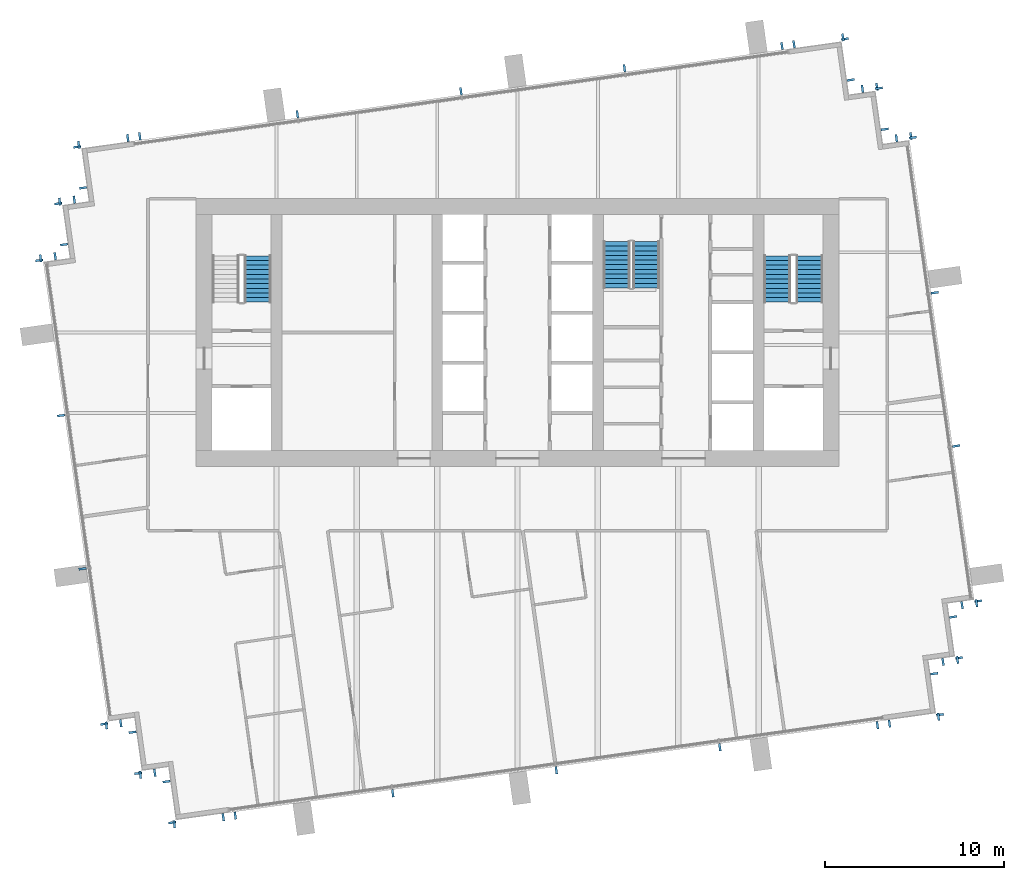
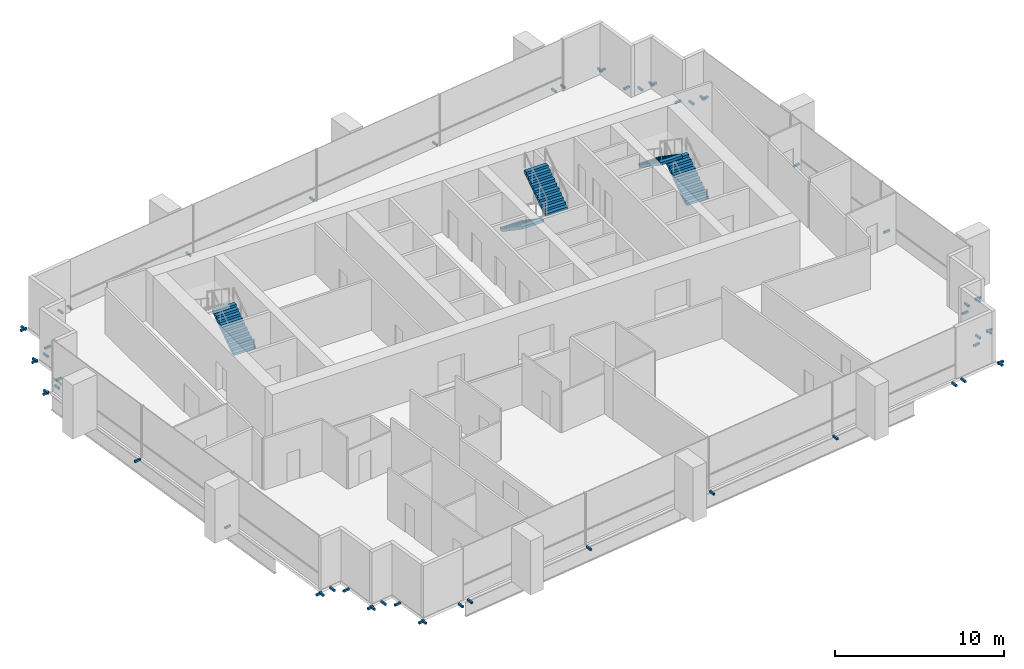
# One storey, part 11 of 12: 58 discrete accessories, 5 stair flights, 3 elements without a shape of their own.
"""IFC4 building model written with IfcOpenShell, lengths in metres."""

from ifc_helpers import new_model, si_unit, direction, frame, origin, origin_2d, place, context, subcontext, project, spatial, polyline, rectangle, outline, extrude, material, type_object, element, aggregate, save


model = new_model("IFC4")

# Units and contexts
model_context = context("Model", 3, precision=1e-05, world=origin(), true_north=direction((0.0, 1.0)))
body_context = subcontext(model_context, "Body", "Model", "MODEL_VIEW")
ifc_project = project(units=[si_unit("LENGTHUNIT", "METRE"), si_unit("AREAUNIT", "SQUARE_METRE"), si_unit("VOLUMEUNIT", "CUBIC_METRE"), si_unit("PLANEANGLEUNIT", "RADIAN"), si_unit("MASSUNIT", "GRAM", prefix="KILO")], contexts=[model_context])

# Site, building, storey
site_placement = place(None, origin())
site = spatial("IfcSite", under=ifc_project, at=site_placement, CompositionType="ELEMENT")
building_placement = place(site_placement, origin())
building = spatial("IfcBuilding", under=site, at=building_placement, Name="Rattan Terrace Tower", CompositionType="ELEMENT")
storey_placement = place(building_placement, frame((0.0, 0.0, 270.699951171875)))
storey = spatial("IfcBuildingStorey", under=building, at=storey_placement, Name="L62", CompositionType="ELEMENT", Elevation=270.699951171875)

# Stair, stair flight
ifc_material_1 = material(Name="Concrete C40/50", Category="concrete")
stair_type = type_object("IfcStairType", Name="Core exit stair 1500", PredefinedType="HALF_TURN_STAIR", material=ifc_material_1)
stair_1_placement = place(storey_placement, origin())
stair_1 = element("IfcStair", 1, at=stair_1_placement, inside=storey, type_object=stair_type, Name="L62 exit stair 1", PredefinedType="HALF_TURN_STAIR")
ifc_material_2 = material(Name="Concrete C40/50", Category="concrete")
stair_flight_type = type_object("IfcStairFlightType", Name="Core exit stair flight 1500", PredefinedType="STRAIGHT", material=ifc_material_2)
stair_flight_1_placement = place(storey_placement, frame((-14.550048828125, 1.699951171875, 0.0), z_axis=(0.0, 0.0, 1.0), x_axis=(0.0, 1.0, 0.0)))
stair_flight_1 = element("IfcStairFlight", 2, at=stair_flight_1_placement, type_object=stair_flight_type, Name="S1 flight 1", NumberOfRisers=11, NumberOfTreads=10, PredefinedType="STRAIGHT", RiserHeight=0.177272727, TreadLength=0.26, context=body_context, shape_type="SweptSolid", body=[
    extrude(outline(polyline([(0.0, 0.0), (0.0, 0.17724609375), (0.260009765625, 0.17724609375), (0.260009765625, 0.3544921875), (0.52001953125, 0.3544921875), (0.52001953125, 0.53173828125), (0.780029296875, 0.53173828125), (0.780029296875, 0.708984375), (1.0400390625, 0.708984375), (1.0400390625, 0.886474609375), (1.300048828125, 0.886474609375), (1.300048828125, 1.063720703125), (1.56005859375, 1.063720703125), (1.56005859375, 1.240966796875), (1.820068359375, 1.240966796875), (1.820068359375, 1.418212890625), (2.080078125, 1.418212890625), (2.080078125, 1.595458984375), (2.340087890625, 1.595458984375), (2.340087890625, 1.772705078125), (2.60009765625, 1.772705078125), (2.60009765625, 1.949951171875), (2.60009765625, 1.59130859375), (0.26611328125, 0.0), (0.0, 0.0)])), frame((0.0, 0.75, 0.0), z_axis=(0.0, -1.0, 0.0), x_axis=(1.0, 0.0, 0.0)), (0.0, 0.0, 1.0), 1.5),
])
aggregate(stair_1, [stair_flight_1])

# Stair, stair flights
stair_2_placement = place(storey_placement, origin())
stair_2 = element("IfcStair", 3, at=stair_2_placement, inside=storey, type_object=stair_type, Name="L62 exit stair 2", PredefinedType="HALF_TURN_STAIR")
stair_flight_2_placement = place(storey_placement, frame((16.35009765625, 1.699951171875, 0.0), z_axis=(0.0, 0.0, 1.0), x_axis=(0.0, 1.0, 0.0)))
stair_flight_2 = element("IfcStairFlight", 4, at=stair_flight_2_placement, type_object=stair_flight_type, Name="S2 flight 1", NumberOfRisers=11, NumberOfTreads=10, PredefinedType="STRAIGHT", RiserHeight=0.177272727, TreadLength=0.26, context=body_context, shape_type="SweptSolid", body=[
    extrude(outline(polyline([(0.0, 0.0), (0.0, 0.17724609375), (0.260009765625, 0.17724609375), (0.260009765625, 0.3544921875), (0.52001953125, 0.3544921875), (0.52001953125, 0.53173828125), (0.780029296875, 0.53173828125), (0.780029296875, 0.708984375), (1.0400390625, 0.708984375), (1.0400390625, 0.886474609375), (1.300048828125, 0.886474609375), (1.300048828125, 1.063720703125), (1.56005859375, 1.063720703125), (1.56005859375, 1.240966796875), (1.820068359375, 1.240966796875), (1.820068359375, 1.418212890625), (2.080078125, 1.418212890625), (2.080078125, 1.595458984375), (2.340087890625, 1.595458984375), (2.340087890625, 1.772705078125), (2.60009765625, 1.772705078125), (2.60009765625, 1.949951171875), (2.60009765625, 1.59130859375), (0.26611328125, 0.0), (0.0, 0.0)])), frame((0.0, 0.75, 0.0), z_axis=(0.0, -1.0, 0.0), x_axis=(1.0, 0.0, 0.0)), (0.0, 0.0, 1.0), 1.5),
])
stair_flight_3_placement = place(storey_placement, frame((14.550048828125, 4.300048828125, 1.949951171875), z_axis=(0.0, 0.0, 1.0), x_axis=(0.0, -1.0, 0.0)))
stair_flight_3 = element("IfcStairFlight", 5, at=stair_flight_3_placement, type_object=stair_flight_type, Name="S2 flight 2", NumberOfRisers=11, NumberOfTreads=10, PredefinedType="STRAIGHT", RiserHeight=0.177272727, TreadLength=0.26, context=body_context, shape_type="SweptSolid", body=[
    extrude(outline(polyline([(0.0, 0.0), (0.0, 0.17724609375), (0.260009765625, 0.17724609375), (0.260009765625, 0.3544921875), (0.52001953125, 0.3544921875), (0.52001953125, 0.53173828125), (0.780029296875, 0.53173828125), (0.780029296875, 0.708984375), (1.0400390625, 0.708984375), (1.0400390625, 0.886474609375), (1.300048828125, 0.886474609375), (1.300048828125, 1.063720703125), (1.56005859375, 1.063720703125), (1.56005859375, 1.240966796875), (1.820068359375, 1.240966796875), (1.820068359375, 1.418212890625), (2.080078125, 1.418212890625), (2.080078125, 1.595458984375), (2.340087890625, 1.595458984375), (2.340087890625, 1.772705078125), (2.60009765625, 1.772705078125), (2.60009765625, 1.949951171875), (2.60009765625, 1.59130859375), (0.26611328125, 0.0), (0.0, 0.0)])), frame((0.0, 0.75, 0.0), z_axis=(0.0, -1.0, 0.0), x_axis=(1.0, 0.0, 0.0)), (0.0, 0.0, 1.0), 1.5),
])
aggregate(stair_2, [stair_flight_2, stair_flight_3])

stair_3_placement = place(storey_placement, origin())
stair_3 = element("IfcStair", 6, at=stair_3_placement, inside=storey, type_object=stair_type, Name="L62 exit stair 3", PredefinedType="HALF_TURN_STAIR")
stair_flight_4_placement = place(storey_placement, frame((5.550048828125, 5.10009765625, 0.0), z_axis=(0.0, 0.0, 1.0), x_axis=(0.0, -1.0, 0.0)))
stair_flight_4 = element("IfcStairFlight", 7, at=stair_flight_4_placement, type_object=stair_flight_type, Name="S3 flight 1", NumberOfRisers=11, NumberOfTreads=10, PredefinedType="STRAIGHT", RiserHeight=0.177272727, TreadLength=0.26, context=body_context, shape_type="SweptSolid", body=[
    extrude(outline(polyline([(0.0, 0.0), (0.0, 0.17724609375), (0.260009765625, 0.17724609375), (0.260009765625, 0.3544921875), (0.52001953125, 0.3544921875), (0.52001953125, 0.53173828125), (0.780029296875, 0.53173828125), (0.780029296875, 0.708984375), (1.0400390625, 0.708984375), (1.0400390625, 0.886474609375), (1.300048828125, 0.886474609375), (1.300048828125, 1.063720703125), (1.56005859375, 1.063720703125), (1.56005859375, 1.240966796875), (1.820068359375, 1.240966796875), (1.820068359375, 1.418212890625), (2.080078125, 1.418212890625), (2.080078125, 1.595458984375), (2.340087890625, 1.595458984375), (2.340087890625, 1.772705078125), (2.60009765625, 1.772705078125), (2.60009765625, 1.949951171875), (2.60009765625, 1.59130859375), (0.26611328125, 0.0), (0.0, 0.0)])), frame((0.0, 0.75, 0.0), z_axis=(0.0, -1.0, 0.0), x_axis=(1.0, 0.0, 0.0)), (0.0, 0.0, 1.0), 1.5),
])
stair_flight_5_placement = place(storey_placement, frame((7.199951171875, 2.5, 1.949951171875), z_axis=(0.0, 0.0, 1.0), x_axis=(0.0, 1.0, 0.0)))
stair_flight_5 = element("IfcStairFlight", 8, at=stair_flight_5_placement, type_object=stair_flight_type, Name="S3 flight 2", NumberOfRisers=11, NumberOfTreads=10, PredefinedType="STRAIGHT", RiserHeight=0.177272727, TreadLength=0.26, context=body_context, shape_type="SweptSolid", body=[
    extrude(outline(polyline([(0.0, 0.0), (0.0, 0.17724609375), (0.260009765625, 0.17724609375), (0.260009765625, 0.3544921875), (0.52001953125, 0.3544921875), (0.52001953125, 0.53173828125), (0.780029296875, 0.53173828125), (0.780029296875, 0.708984375), (1.0400390625, 0.708984375), (1.0400390625, 0.886474609375), (1.300048828125, 0.886474609375), (1.300048828125, 1.063720703125), (1.56005859375, 1.063720703125), (1.56005859375, 1.240966796875), (1.820068359375, 1.240966796875), (1.820068359375, 1.418212890625), (2.080078125, 1.418212890625), (2.080078125, 1.595458984375), (2.340087890625, 1.595458984375), (2.340087890625, 1.772705078125), (2.60009765625, 1.772705078125), (2.60009765625, 1.949951171875), (2.60009765625, 1.59130859375), (0.26611328125, 0.0), (0.0, 0.0)])), frame((0.0, 0.75, 0.0), z_axis=(0.0, -1.0, 0.0), x_axis=(1.0, 0.0, 0.0)), (0.0, 0.0, 1.0), 1.5),
])
aggregate(stair_3, [stair_flight_4, stair_flight_5])

# Discrete accessories
for number, where, z_axis, x_axis, name in (
    (9, (20.829833984375, -21.900634765625, -0.169921875), (0.0, 0.0, 1.0), (0.990293172258, 0.138994363123, 0.0), "Panel bracket L62-1"),
    (10, (23.5732421875, -21.515625, -0.169921875), (0.0, 0.0, 1.0), (0.990293172258, 0.138994363123, 0.0), "Panel bracket L62-2"),
    (11, (23.658203125, -21.40283203125, -0.169921875), (0.0, 0.0, 1.0), (-0.138994363123, 0.990293172258, 0.0), "Panel bracket L62-3"),
    (12, (23.335693359375, -19.10498046875, -0.169921875), (0.0, 0.0, 1.0), (-0.138994363123, 0.990293172258, 0.0), "Panel bracket L62-4"),
    (13, (23.829345703125, -18.449951171875, -0.169921875), (0.0, 0.0, 1.0), (0.990240767803, 0.139367219175, 0.0), "Panel bracket L62-5"),
    (14, (24.64111328125, -18.335693359375, -0.169921875), (0.0, 0.0, 1.0), (0.990240767803, 0.139367219175, 0.0), "Panel bracket L62-6"),
    (15, (24.726318359375, -18.22265625, -0.169921875), (0.0, 0.0, 1.0), (-0.139367219175, 0.990240767803, 0.0), "Panel bracket L62-7"),
    (16, (24.403076171875, -15.926025390625, -0.169921875), (0.0, 0.0, 1.0), (-0.139367219175, 0.990240767803, 0.0), "Panel bracket L62-8"),
    (17, (24.896484375, -15.27099609375, -0.169921875), (0.0, 0.0, 1.0), (0.99025370695, 0.139275252184, 0.0), "Panel bracket L62-9"),
    (18, (25.708984375, -15.15673828125, -0.169921875), (0.0, 0.0, 1.0), (0.99025370695, 0.139275252184, 0.0), "Panel bracket L62-10"),
    (19, (25.794189453125, -15.043701171875, -0.169921875), (0.0, 0.0, 1.0), (-0.139191775431, 0.990265444036, 0.0), "Panel bracket L62-11"),
    (20, (24.572509765625, -6.35205078125, -0.169921875), (0.0, 0.0, 1.0), (-0.139191775431, 0.990265444036, 0.0), "Panel bracket L62-12"),
    (21, (23.3662109375, 2.23046875, -0.169921875), (0.0, 0.0, 1.0), (-0.139191775431, 0.990265444036, 0.0), "Panel bracket L62-13"),
    (22, (22.14453125, 10.921142578125, -0.169921875), (0.0, 0.0, 1.0), (-0.139191775431, 0.990265444036, 0.0), "Panel bracket L62-14"),
    (23, (22.03173828125, 11.00634765625, -0.169921875), (0.0, 0.0, 1.0), (-0.990240767803, -0.139367219175, 0.0), "Panel bracket L62-15"),
    (24, (21.219970703125, 10.89208984375, -0.169921875), (0.0, 0.0, 1.0), (-0.990240767803, -0.139367219175, 0.0), "Panel bracket L62-16"),
    (25, (20.56494140625, 11.385498046875, -0.169921875), (0.0, 0.0, 1.0), (-0.139321220646, 0.990247240581, 0.0), "Panel bracket L62-17"),
    (26, (20.24169921875, 13.682861328125, -0.169921875), (0.0, 0.0, 1.0), (-0.139321220646, 0.990247240581, 0.0), "Panel bracket L62-18"),
    (27, (20.12841796875, 13.768310546875, -0.169921875), (0.0, 0.0, 1.0), (-0.990332587523, -0.138713251317, 0.0), "Panel bracket L62-19"),
    (28, (19.31689453125, 13.654541015625, -0.169921875), (0.0, 0.0, 1.0), (-0.990332587523, -0.138713251317, 0.0), "Panel bracket L62-20"),
    (29, (18.661865234375, 14.148193359375, -0.169921875), (0.0, 0.0, 1.0), (-0.139367219175, 0.990240767803, 0.0), "Panel bracket L62-21"),
    (30, (18.338623046875, 16.445068359375, -0.169921875), (0.0, 0.0, 1.0), (-0.139367219175, 0.990240767803, 0.0), "Panel bracket L62-22"),
    (31, (18.2255859375, 16.5302734375, -0.169921875), (0.0, 0.0, 1.0), (-0.990286729519, -0.139040257974, 0.0), "Panel bracket L62-23"),
    (32, (15.4833984375, 16.145263671875, -0.169921875), (0.0, 0.0, 1.0), (-0.990286729519, -0.139040257974, 0.0), "Panel bracket L62-24"),
    (33, (14.81005859375, 16.050537109375, -0.169921875), (0.0, 0.0, 1.0), (-0.990265894013, -0.139188574079, 0.0), "Panel bracket L62-25"),
    (34, (5.98779296875, 14.810546875, -0.169921875), (0.0, 0.0, 1.0), (-0.990265894013, -0.139188574079, 0.0), "Panel bracket L62-26"),
    (35, (-3.171142578125, 13.523193359375, -0.169921875), (0.0, 0.0, 1.0), (-0.990265894013, -0.139188574079, 0.0), "Panel bracket L62-27"),
    (36, (-12.330078125, 12.23583984375, -0.169921875), (0.0, 0.0, 1.0), (-0.990265894013, -0.139188574079, 0.0), "Panel bracket L62-28"),
    (37, (-21.156494140625, 10.995361328125, -0.169921875), (0.0, 0.0, 1.0), (-0.990265894013, -0.139188574079, 0.0), "Panel bracket L62-29"),
    (38, (-21.829833984375, 10.900634765625, -0.169921875), (0.0, 0.0, 1.0), (-0.990293172258, -0.138994363123, 0.0), "Panel bracket L62-30"),
    (39, (-24.5732421875, 10.515625, -0.169921875), (0.0, 0.0, 1.0), (-0.990293172258, -0.138994363123, 0.0), "Panel bracket L62-31"),
    (40, (-24.658203125, 10.40283203125, -0.169921875), (0.0, 0.0, 1.0), (0.138994363123, -0.990293172258, 0.0), "Panel bracket L62-32"),
    (41, (-24.335693359375, 8.10498046875, -0.169921875), (0.0, 0.0, 1.0), (0.138994363123, -0.990293172258, 0.0), "Panel bracket L62-33"),
    (42, (-24.829345703125, 7.449951171875, -0.169921875), (0.0, 0.0, 1.0), (-0.990240767803, -0.139367219175, 0.0), "Panel bracket L62-34"),
    (43, (-25.64111328125, 7.335693359375, -0.169921875), (0.0, 0.0, 1.0), (-0.990240767803, -0.139367219175, 0.0), "Panel bracket L62-35"),
    (44, (-25.726318359375, 7.22265625, -0.169921875), (0.0, 0.0, 1.0), (0.139367219175, -0.990240767803, 0.0), "Panel bracket L62-36"),
    (45, (-25.403076171875, 4.926025390625, -0.169921875), (0.0, 0.0, 1.0), (0.139367219175, -0.990240767803, 0.0), "Panel bracket L62-37"),
    (46, (-25.896484375, 4.27099609375, -0.169921875), (0.0, 0.0, 1.0), (-0.99025370695, -0.139275252184, 0.0), "Panel bracket L62-38"),
    (47, (-26.708984375, 4.15673828125, -0.169921875), (0.0, 0.0, 1.0), (-0.99025370695, -0.139275252184, 0.0), "Panel bracket L62-39"),
    (48, (-26.794189453125, 4.043701171875, -0.169921875), (0.0, 0.0, 1.0), (0.139191775431, -0.990265444036, 0.0), "Panel bracket L62-40"),
    (49, (-25.572509765625, -4.64794921875, -0.169921875), (0.0, 0.0, 1.0), (0.139191775431, -0.990265444036, 0.0), "Panel bracket L62-41"),
    (50, (-24.3662109375, -13.23046875, -0.169921875), (0.0, 0.0, 1.0), (0.139191775431, -0.990265444036, 0.0), "Panel bracket L62-42"),
    (51, (-23.14453125, -21.921142578125, -0.169921875), (0.0, 0.0, 1.0), (0.139191775431, -0.990265444036, 0.0), "Panel bracket L62-43"),
    (52, (-23.03173828125, -22.00634765625, -0.169921875), (0.0, 0.0, 1.0), (0.990240767803, 0.139367219175, 0.0), "Panel bracket L62-44"),
    (53, (-22.219970703125, -21.89208984375, -0.169921875), (0.0, 0.0, 1.0), (0.990240767803, 0.139367219175, 0.0), "Panel bracket L62-45"),
    (54, (-21.56494140625, -22.385498046875, -0.169921875), (0.0, 0.0, 1.0), (0.139321220646, -0.990247240581, 0.0), "Panel bracket L62-46"),
    (55, (-21.24169921875, -24.682861328125, -0.169921875), (0.0, 0.0, 1.0), (0.139321220646, -0.990247240581, 0.0), "Panel bracket L62-47"),
    (56, (-21.12841796875, -24.768310546875, -0.169921875), (0.0, 0.0, 1.0), (0.990332587523, 0.138713251317, 0.0), "Panel bracket L62-48"),
    (57, (-20.31689453125, -24.654541015625, -0.169921875), (0.0, 0.0, 1.0), (0.990332587523, 0.138713251317, 0.0), "Panel bracket L62-49"),
    (58, (-19.661865234375, -25.148193359375, -0.169921875), (0.0, 0.0, 1.0), (0.139367219175, -0.990240767803, 0.0), "Panel bracket L62-50"),
    (59, (-19.338623046875, -27.445068359375, -0.169921875), (0.0, 0.0, 1.0), (0.139367219175, -0.990240767803, 0.0), "Panel bracket L62-51"),
    (60, (-19.2255859375, -27.5302734375, -0.169921875), (0.0, 0.0, 1.0), (0.990286729519, 0.139040257974, 0.0), "Panel bracket L62-52"),
    (61, (-16.4833984375, -27.145263671875, -0.169921875), (0.0, 0.0, 1.0), (0.990286729519, 0.139040257974, 0.0), "Panel bracket L62-53"),
    (62, (-15.81005859375, -27.050537109375, -0.169921875), (0.0, 0.0, 1.0), (0.990265894013, 0.139188574079, 0.0), "Panel bracket L62-54"),
    (63, (-6.98779296875, -25.810546875, -0.169921875), (0.0, 0.0, 1.0), (0.990265894013, 0.139188574079, 0.0), "Panel bracket L62-55"),
    (64, (2.171142578125, -24.523193359375, -0.169921875), (0.0, 0.0, 1.0), (0.990265894013, 0.139188574079, 0.0), "Panel bracket L62-56"),
    (65, (11.330078125, -23.23583984375, -0.169921875), (0.0, 0.0, 1.0), (0.990265894013, 0.139188574079, 0.0), "Panel bracket L62-57"),
    (66, (20.156494140625, -21.995361328125, -0.169921875), (0.0, 0.0, 1.0), (0.990265894013, 0.139188574079, 0.0), "Panel bracket L62-58"),
):
    element("IfcDiscreteAccessory", number, at=place(storey_placement, frame(where, z_axis=z_axis, x_axis=x_axis)), inside=storey, Name=name, PredefinedType="BRACKET", context=body_context, shape_type="SweptSolid", body=[
        extrude(rectangle(XDim=0.1201171875, YDim=0.419921875, at=origin_2d()), origin(), (0.0, 0.0, 1.0), 0.139892578125),
    ])

save(model, "model.ifc")
